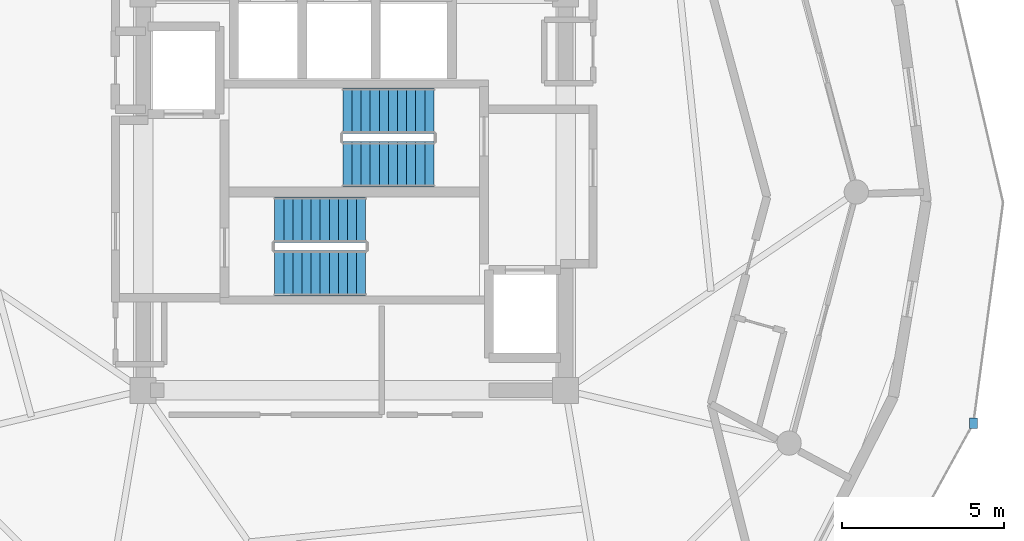
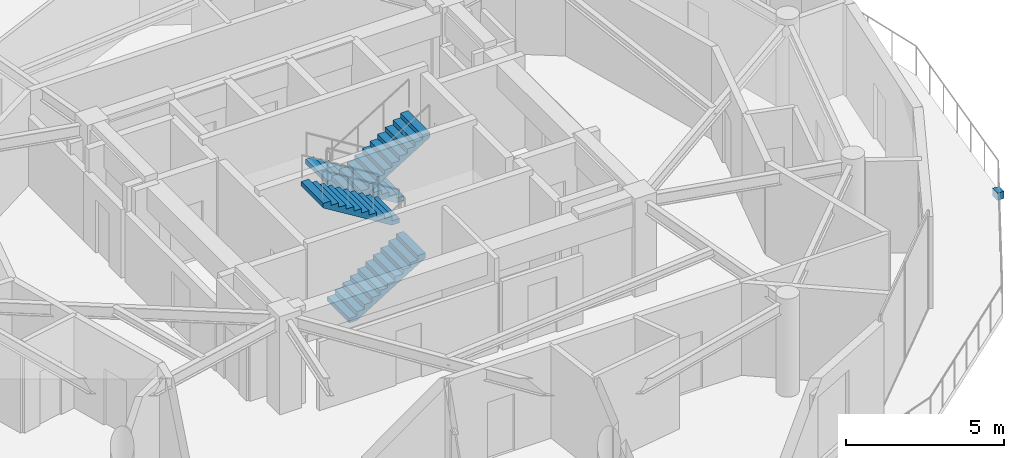
# One storey, part 21 of 23: 4 stair flights, 1 discrete accessory, 2 elements without a shape of their own.
"""IFC4 building model written with IfcOpenShell, lengths in metres."""

import ifcopenshell
import ifcopenshell.guid

model = None  # the IFC model being written
_history = None  # IfcOwnerHistory: only IFC2X3 demands one
_inside = {}  # id of a spatial element -> (the spatial element, [elements in it])
_under = {}  # id of a project, library or spatial element -> (it, [spatial elements below it])
_declared = {}  # id of a project -> (the project, [libraries it declares])
_typed = {}  # id of a type object -> (the type object, [elements of that type])
_made_of = {}  # id of a material, layer set ... -> (it, [elements and type objects made of it])


def new_model(schema):
    """Start an empty IFC model of exactly this schema.

    Asked for "IFC4X3", IfcOpenShell would pick the latest addendum, in which some entities
    have other attributes; the version numbers below select the first issue.
    IFC2X3 requires an IfcOwnerHistory on every rooted entity: one is made here for all.
    """
    global model, _history
    if schema == "IFC4X3":
        model = ifcopenshell.file(schema_version=(4, 3, 0, 0))
    else:
        model = ifcopenshell.file(schema=schema)
    _inside.clear()
    _under.clear()
    _declared.clear()
    _typed.clear()
    _made_of.clear()
    _history = None
    if model.schema == "IFC2X3":
        org = make("IfcOrganization", Name="unknown")
        user = make(
            "IfcPersonAndOrganization",
            ThePerson=make("IfcPerson", FamilyName="unknown"),
            TheOrganization=org,
        )
        app = make(
            "IfcApplication",
            ApplicationDeveloper=org,
            Version="unknown",
            ApplicationFullName="unknown",
            ApplicationIdentifier="unknown",
        )
        _history = make(
            "IfcOwnerHistory",
            OwningUser=user,
            OwningApplication=app,
            ChangeAction="ADDED",
            CreationDate=0,
        )
    return model


def make(cls, **values):
    """One entity of the class cls with the attributes given. An attribute that is None is left unset."""
    return model.create_entity(
        cls, **{name: value for name, value in values.items() if value is not None}
    )


def rooted(cls, **values):
    """An entity with a GlobalId (a new one), such as an element, a storey or a relation."""
    return make(cls, GlobalId=ifcopenshell.guid.new(), OwnerHistory=_history, **values)


def si_unit(unit_type, name, prefix=None):
    """IfcSIUnit, for example si_unit("LENGTHUNIT", "METRE", prefix="MILLI")."""
    return make("IfcSIUnit", UnitType=unit_type, Prefix=prefix, Name=name)


def assignment(units):
    """IfcUnitAssignment: the units of a project."""
    return None if units is None else make("IfcUnitAssignment", Units=units)


def point(xyz):
    """IfcCartesianPoint."""
    return None if xyz is None else make("IfcCartesianPoint", Coordinates=xyz)


def direction(xyz):
    """IfcDirection."""
    return None if xyz is None else make("IfcDirection", DirectionRatios=xyz)


def frame(location, z_axis=None, x_axis=None):
    """IfcAxis2Placement3D, a coordinate frame: its origin and axes. An axis left out is left unset."""
    return make(
        "IfcAxis2Placement3D",
        Location=point(location),
        Axis=direction(z_axis),
        RefDirection=direction(x_axis),
    )


def frame_2d(location, x_axis=None):
    """IfcAxis2Placement2D, a coordinate frame in the plane: its origin and x axis."""
    return make(
        "IfcAxis2Placement2D", Location=point(location), RefDirection=direction(x_axis)
    )


def origin():
    """The frame at (0, 0, 0) with its axes left unset."""
    return frame((0.0, 0.0, 0.0))


def origin_2d():
    """The frame at (0, 0) in the plane with its x axis left unset."""
    return frame_2d((0.0, 0.0))


def place(relative_to, where):
    """IfcLocalPlacement: puts the frame where relative to a parent placement (None: the world)."""
    return make(
        "IfcLocalPlacement", PlacementRelTo=relative_to, RelativePlacement=where
    )


def context(
    kind, dimensions, precision=None, world=None, true_north=None, identifier=None
):
    """IfcGeometricRepresentationContext, for example the 3D "Model" context."""
    return make(
        "IfcGeometricRepresentationContext",
        ContextIdentifier=identifier,
        ContextType=kind,
        CoordinateSpaceDimension=dimensions,
        Precision=precision,
        WorldCoordinateSystem=world,
        TrueNorth=true_north,
    )


def subcontext(parent, identifier, kind, view, scale=None):
    """IfcGeometricRepresentationSubContext, for example "Body" below "Model"."""
    return make(
        "IfcGeometricRepresentationSubContext",
        ContextIdentifier=identifier,
        ContextType=kind,
        ParentContext=parent,
        TargetScale=scale,
        TargetView=view,
    )


def project(units=None, contexts=None):
    """IfcProject with its units and contexts."""
    return rooted(
        "IfcProject",
        Name="project",
        RepresentationContexts=contexts,
        UnitsInContext=assignment(units),
    )


def spatial(cls, under=None, at=None, **own):
    """A site, building, storey or space (cls), placed at a placement, below another one or the project."""
    s = rooted(cls, ObjectPlacement=at, **own)
    if under is not None:
        _under.setdefault(under.id(), (under, []))[1].append(s)
    return s


def polyline(points):
    """IfcPolyline through the points."""
    return make("IfcPolyline", Points=[point(p) for p in points])


def profile(cls, at=None, kind="AREA", **sizes):
    """A parametric profile (cls). Its sizes go by their IFC names, for example OverallWidth=200.0."""
    return make(cls, ProfileType=kind, Position=at, **sizes)


def rectangle(**sizes):
    """IfcRectangleProfileDef."""
    return profile("IfcRectangleProfileDef", **sizes)


def outline(outer, holes=None, kind="AREA"):
    """IfcArbitraryClosedProfileDef: a profile drawn as a closed curve; with holes, ...WithVoids."""
    if holes is None:
        return make("IfcArbitraryClosedProfileDef", ProfileType=kind, OuterCurve=outer)
    return make(
        "IfcArbitraryProfileDefWithVoids",
        ProfileType=kind,
        OuterCurve=outer,
        InnerCurves=holes,
    )


def extrude(swept, where, along, depth):
    """IfcExtrudedAreaSolid: the profile swept, set in the frame where, extruded along a direction by depth."""
    return make(
        "IfcExtrudedAreaSolid",
        SweptArea=swept,
        Position=where,
        ExtrudedDirection=direction(along),
        Depth=depth,
    )


def shape(context_of_items, identifier, shape_type, items):
    """IfcShapeRepresentation: the items that make up one representation, for example the "Body"."""
    return make(
        "IfcShapeRepresentation",
        ContextOfItems=context_of_items,
        RepresentationIdentifier=identifier,
        RepresentationType=shape_type,
        Items=items,
    )


def material(Name=None, Category=None):
    """IfcMaterial."""
    return make("IfcMaterial", Name=Name, Category=Category)


def made_of(thing, what):
    """Note that an element or type object is made of a material, layer set ...; save() writes the relation."""
    if what is not None:
        _made_of.setdefault(what.id(), (what, []))[1].append(thing)
    return thing


def type_object(cls, material=None, **own):
    """A type object (cls), such as IfcWallType, which elements share."""
    return made_of(rooted(cls, **own), material)


def element(
    cls,
    number,
    at=None,
    inside=None,
    cuts=None,
    type_object=None,
    material=None,
    context=None,
    identifier="Body",
    shape_type=None,
    held_by="IfcProductDefinitionShape",
    body=None,
    shapes=None,
    **own,
):
    """One element of the class cls, such as IfcWall. Its Tag is "e" and its number.

    at: its placement. inside: the storey or other place that contains it. cuts: it is an
    opening in that element (IfcRelVoidsElement). A single representation is given by context,
    identifier, shape_type and body (its items); several are given by shapes. held_by: the class
    of the entity that holds the representations. save() writes the other relations.
    """
    e = rooted(cls, Tag="e%d" % number, ObjectPlacement=at, **own)
    if body is not None:
        shapes = [shape(context, identifier, shape_type, body)]
    if shapes is not None:
        e.Representation = make(held_by, Representations=shapes)
    if inside is not None:
        _inside.setdefault(inside.id(), (inside, []))[1].append(e)
    if cuts is not None:
        rooted(
            "IfcRelVoidsElement", RelatingBuildingElement=cuts, RelatedOpeningElement=e
        )
    if type_object is not None:
        _typed.setdefault(type_object.id(), (type_object, []))[1].append(e)
    return made_of(e, material)


def aggregate(whole, parts):
    """IfcRelAggregates: a whole, such as a stair, and the parts it consists of."""
    return rooted("IfcRelAggregates", RelatingObject=whole, RelatedObjects=parts)


def save(model, path):
    """Write the relations noted so far, then the file.

    IfcRelAggregates (storeys below a building ...), IfcRelContainedInSpatialStructure (elements
    in a storey), IfcRelDefinesByType, IfcRelAssociatesMaterial and IfcRelDeclares: one each for
    every whole, place, type object, material and project.
    """
    for whole, parts in _under.values():
        aggregate(whole, parts)
    for where, things in _inside.values():
        rooted(
            "IfcRelContainedInSpatialStructure",
            RelatedElements=things,
            RelatingStructure=where,
        )
    for kind, things in _typed.values():
        rooted("IfcRelDefinesByType", RelatedObjects=things, RelatingType=kind)
    for what, things in _made_of.values():
        rooted("IfcRelAssociatesMaterial", RelatedObjects=things, RelatingMaterial=what)
    for by, libraries in _declared.values():
        rooted("IfcRelDeclares", RelatingContext=by, RelatedDefinitions=libraries)
    model.write(path)


model = new_model("IFC4")

# Units and contexts
model_context = context("Model", 3, precision=1e-05, world=origin(), true_north=direction((0.0, 1.0)))
body_context = subcontext(model_context, "Body", "Model", "MODEL_VIEW")
ifc_project = project(units=[si_unit("LENGTHUNIT", "METRE"), si_unit("AREAUNIT", "SQUARE_METRE"), si_unit("VOLUMEUNIT", "CUBIC_METRE"), si_unit("PLANEANGLEUNIT", "RADIAN"), si_unit("MASSUNIT", "GRAM", prefix="KILO")], contexts=[model_context])

# Site, building, storey
site_placement = place(None, origin())
site = spatial("IfcSite", under=ifc_project, at=site_placement, CompositionType="ELEMENT")
building_placement = place(site_placement, origin())
building = spatial("IfcBuilding", under=site, at=building_placement, Name="Solvirekh Grand Hotel", CompositionType="ELEMENT")
storey_placement = place(building_placement, frame((0.0, 0.0, 282.0)))
storey = spatial("IfcBuildingStorey", under=building, at=storey_placement, Name="L73", CompositionType="ELEMENT", Elevation=282.0)

# Stair, stair flights
ifc_material_1 = material(Name="Concrete C40/50", Category="concrete")
stair_type = type_object("IfcStairType", Name="Stair_Core_1450", PredefinedType="HALF_TURN_STAIR", material=ifc_material_1)
stair_1_placement = place(storey_placement, origin())
stair_1 = element("IfcStair", 1, at=stair_1_placement, inside=storey, type_object=stair_type, Name="L73 Enclosed exit stair ST-1", PredefinedType="HALF_TURN_STAIR")
stair_flight_type = type_object("IfcStairFlightType", Name="Flight_Core_1450", PredefinedType="STRAIGHT", material=ifc_material_1)
stair_flight_1_placement = place(storey_placement, frame((-2.449951171875, -2.5, 0.0), z_axis=(0.0, 0.0, 1.0), x_axis=(1.0, 0.0, 0.0)))
stair_flight_1 = element("IfcStairFlight", 2, at=stair_flight_1_placement, type_object=stair_flight_type, Name="ST-1 flight 1", NumberOfRisers=11, NumberOfTreads=10, PredefinedType="STRAIGHT", RiserHeight=0.172727273, TreadLength=0.28, context=body_context, shape_type="SweptSolid", body=[
    extrude(outline(polyline([(0.0, 0.0), (0.0, 0.172607421875), (0.280029296875, 0.172607421875), (0.280029296875, 0.345458984375), (0.56005859375, 0.345458984375), (0.56005859375, 0.51806640625), (0.840087890625, 0.51806640625), (0.840087890625, 0.69091796875), (1.1201171875, 0.69091796875), (1.1201171875, 0.863525390625), (1.39990234375, 0.863525390625), (1.39990234375, 1.036376953125), (1.679931640625, 1.036376953125), (1.679931640625, 1.208984375), (1.9599609375, 1.208984375), (1.9599609375, 1.3818359375), (2.239990234375, 1.3818359375), (2.239990234375, 1.554443359375), (2.52001953125, 1.554443359375), (2.52001953125, 1.727294921875), (2.800048828125, 1.727294921875), (2.800048828125, 1.89990234375), (2.800048828125, 1.551025390625), (0.285400390625, 0.0), (0.0, 0.0)])), frame((0.0, 0.699951171875, 0.0), z_axis=(0.0, -1.0, 0.0), x_axis=(1.0, 0.0, 0.0)), (0.0, 0.0, 1.0), 1.39990234375),
])
stair_flight_2_placement = place(storey_placement, frame((0.35009765625, -0.85009765625, 1.89990234375), z_axis=(0.0, 0.0, 1.0), x_axis=(-1.0, 0.0, 0.0)))
stair_flight_2 = element("IfcStairFlight", 3, at=stair_flight_2_placement, type_object=stair_flight_type, Name="ST-1 flight 2", NumberOfRisers=11, NumberOfTreads=10, PredefinedType="STRAIGHT", RiserHeight=0.172727273, TreadLength=0.28, context=body_context, shape_type="SweptSolid", body=[
    extrude(outline(polyline([(0.0, 0.0), (0.0, 0.172607421875), (0.280029296875, 0.172607421875), (0.280029296875, 0.345458984375), (0.56005859375, 0.345458984375), (0.56005859375, 0.51806640625), (0.840087890625, 0.51806640625), (0.840087890625, 0.69091796875), (1.1201171875, 0.69091796875), (1.1201171875, 0.863525390625), (1.39990234375, 0.863525390625), (1.39990234375, 1.036376953125), (1.679931640625, 1.036376953125), (1.679931640625, 1.208984375), (1.9599609375, 1.208984375), (1.9599609375, 1.3818359375), (2.239990234375, 1.3818359375), (2.239990234375, 1.554443359375), (2.52001953125, 1.554443359375), (2.52001953125, 1.727294921875), (2.800048828125, 1.727294921875), (2.800048828125, 1.89990234375), (2.800048828125, 1.551025390625), (0.285400390625, 0.0), (0.0, 0.0)])), frame((0.0, 0.699951171875, 0.0), z_axis=(0.0, -1.0, 0.0), x_axis=(1.0, 0.0, 0.0)), (0.0, 0.0, 1.0), 1.39990234375),
])
aggregate(stair_1, [stair_flight_1, stair_flight_2])

stair_2_placement = place(storey_placement, origin())
stair_2 = element("IfcStair", 4, at=stair_2_placement, inside=storey, type_object=stair_type, Name="L73 Enclosed exit stair ST-2", PredefinedType="HALF_TURN_STAIR")
stair_flight_3_placement = place(storey_placement, frame((2.449951171875, 2.5, 0.0), z_axis=(0.0, 0.0, 1.0), x_axis=(-1.0, 0.0, 0.0)))
stair_flight_3 = element("IfcStairFlight", 5, at=stair_flight_3_placement, type_object=stair_flight_type, Name="ST-2 flight 1", NumberOfRisers=11, NumberOfTreads=10, PredefinedType="STRAIGHT", RiserHeight=0.172727273, TreadLength=0.28, context=body_context, shape_type="SweptSolid", body=[
    extrude(outline(polyline([(0.0, 0.0), (0.0, 0.172607421875), (0.280029296875, 0.172607421875), (0.280029296875, 0.345458984375), (0.56005859375, 0.345458984375), (0.56005859375, 0.51806640625), (0.840087890625, 0.51806640625), (0.840087890625, 0.69091796875), (1.1201171875, 0.69091796875), (1.1201171875, 0.863525390625), (1.39990234375, 0.863525390625), (1.39990234375, 1.036376953125), (1.679931640625, 1.036376953125), (1.679931640625, 1.208984375), (1.9599609375, 1.208984375), (1.9599609375, 1.3818359375), (2.239990234375, 1.3818359375), (2.239990234375, 1.554443359375), (2.52001953125, 1.554443359375), (2.52001953125, 1.727294921875), (2.800048828125, 1.727294921875), (2.800048828125, 1.89990234375), (2.800048828125, 1.551025390625), (0.285400390625, 0.0), (0.0, 0.0)])), frame((0.0, 0.699951171875, 0.0), z_axis=(0.0, -1.0, 0.0), x_axis=(1.0, 0.0, 0.0)), (0.0, 0.0, 1.0), 1.39990234375),
])
stair_flight_4_placement = place(storey_placement, frame((-0.35009765625, 0.85009765625, 1.89990234375), z_axis=(0.0, 0.0, 1.0), x_axis=(1.0, 0.0, 0.0)))
stair_flight_4 = element("IfcStairFlight", 6, at=stair_flight_4_placement, type_object=stair_flight_type, Name="ST-2 flight 2", NumberOfRisers=11, NumberOfTreads=10, PredefinedType="STRAIGHT", RiserHeight=0.172727273, TreadLength=0.28, context=body_context, shape_type="SweptSolid", body=[
    extrude(outline(polyline([(0.0, 0.0), (0.0, 0.172607421875), (0.280029296875, 0.172607421875), (0.280029296875, 0.345458984375), (0.56005859375, 0.345458984375), (0.56005859375, 0.51806640625), (0.840087890625, 0.51806640625), (0.840087890625, 0.69091796875), (1.1201171875, 0.69091796875), (1.1201171875, 0.863525390625), (1.39990234375, 0.863525390625), (1.39990234375, 1.036376953125), (1.679931640625, 1.036376953125), (1.679931640625, 1.208984375), (1.9599609375, 1.208984375), (1.9599609375, 1.3818359375), (2.239990234375, 1.3818359375), (2.239990234375, 1.554443359375), (2.52001953125, 1.554443359375), (2.52001953125, 1.727294921875), (2.800048828125, 1.727294921875), (2.800048828125, 1.89990234375), (2.800048828125, 1.551025390625), (0.285400390625, 0.0), (0.0, 0.0)])), frame((0.0, 0.699951171875, 0.0), z_axis=(0.0, -1.0, 0.0), x_axis=(1.0, 0.0, 0.0)), (0.0, 0.0, 1.0), 1.39990234375),
])
aggregate(stair_2, [stair_flight_3, stair_flight_4])

# Discrete accessory
ifc_material_2 = material(Name="Steel S355", Category="steel")
discrete_accessory_type = type_object("IfcDiscreteAccessoryType", Name="Acc_ThermalBracket", PredefinedType="BRACKET", material=ifc_material_2)
discrete_accessory_placement = place(storey_placement, frame((19.056884765625, -7.112060546875, -0.27978515625), z_axis=(0.0, 0.0, 1.0), x_axis=(-0.015707317312, -0.999876632482, 0.0)))
element("IfcDiscreteAccessory", 7, at=discrete_accessory_placement, inside=storey, type_object=discrete_accessory_type, Name="L73 balcony thermal-break bracket", PredefinedType="BRACKET", context=body_context, shape_type="SweptSolid", body=[
    extrude(rectangle(XDim=0.320068359375, YDim=0.239990234375, at=origin_2d()), origin(), (0.0, 0.0, 1.0), 0.280029296875),
])

save(model, "model.ifc")
